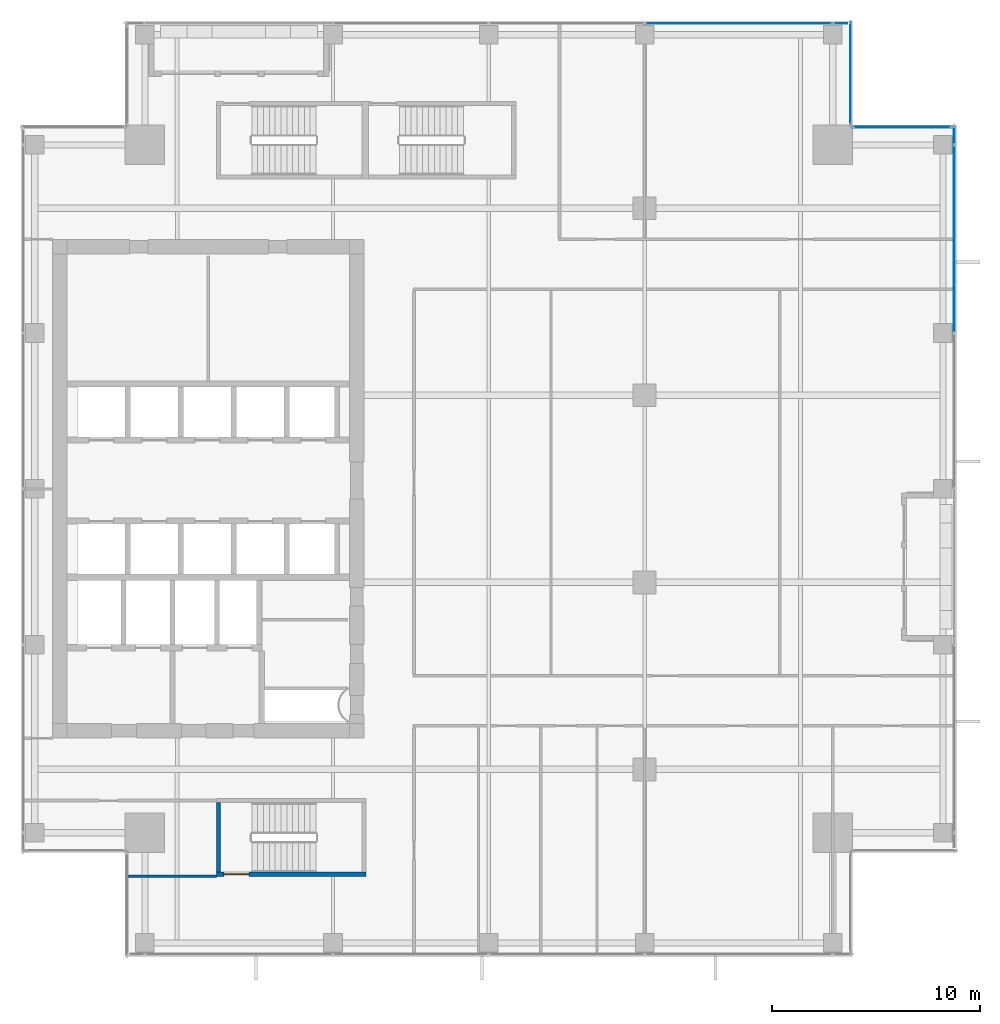
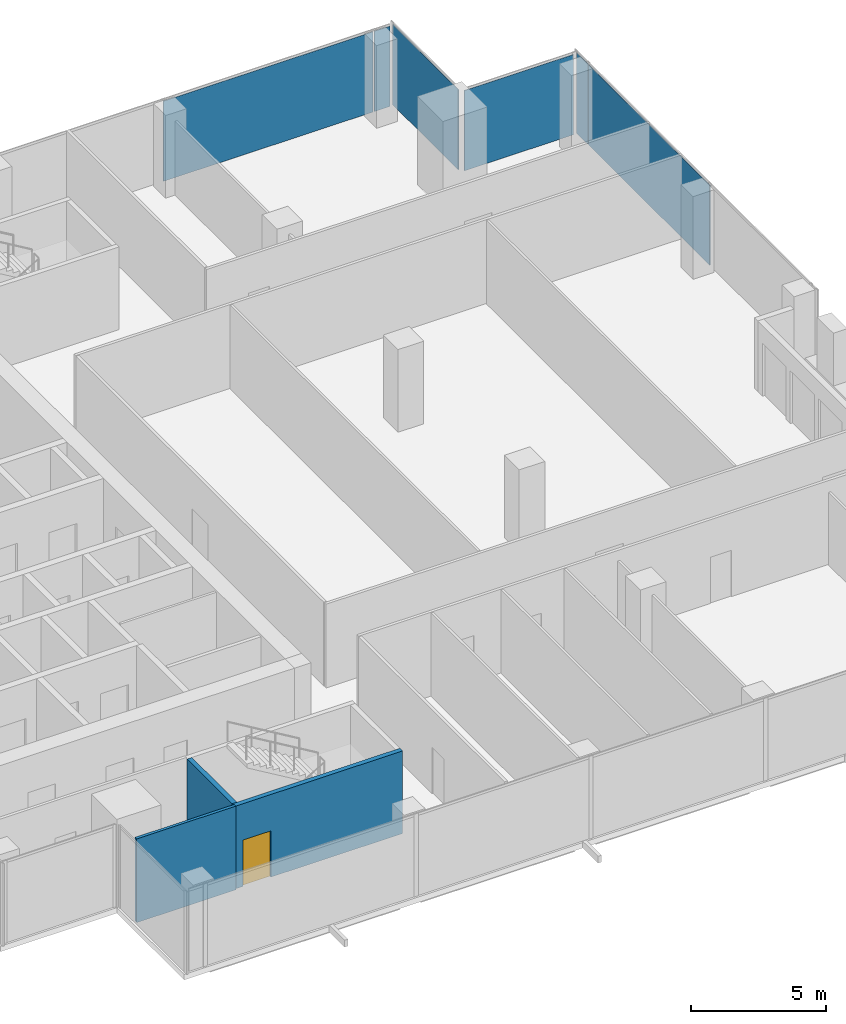
# One storey, part 30 of 36: 6 plates, 3 walls, 1 door, 1 opening, 4 elements without a shape of their own.
"""IFC4 building model written with IfcOpenShell, lengths in metres."""

from ifc_helpers import new_model, si_unit, direction, frame, frame_2d, origin, origin_2d, place, context, subcontext, project, spatial, rectangle, extrude, source, transform, mapped, material, layer, layer_set, type_object, element, fill, aggregate, save


model = new_model("IFC4")

# Units and contexts
model_context = context("Model", 3, precision=1e-05, world=origin(), true_north=direction((0.0, 1.0)))
body_context = subcontext(model_context, "Body", "Model", "MODEL_VIEW")
ifc_project = project(units=[si_unit("LENGTHUNIT", "METRE"), si_unit("AREAUNIT", "SQUARE_METRE"), si_unit("VOLUMEUNIT", "CUBIC_METRE"), si_unit("PLANEANGLEUNIT", "RADIAN"), si_unit("MASSUNIT", "GRAM", prefix="KILO")], contexts=[model_context])

# Site, building, storey
site_placement = place(None, origin())
site = spatial("IfcSite", under=ifc_project, at=site_placement, CompositionType="ELEMENT")
building_placement = place(site_placement, origin())
building = spatial("IfcBuilding", under=site, at=building_placement, Name="Khomas Fold Tower", CompositionType="ELEMENT")
storey_placement = place(building_placement, frame((0.0, 0.0, 226.199951171875)))
storey = spatial("IfcBuildingStorey", under=building, at=storey_placement, Name="L50", CompositionType="ELEMENT", Elevation=226.199951171875)

# Curtain wall, plate
ifc_material_1 = material(Name="Aluminium framed double glazing", Category="aluminium")
curtain_wall_type = type_object("IfcCurtainWallType", Name="SK-Unitised clear-glass wall, office floors CW2", PredefinedType="NOTDEFINED", material=ifc_material_1)
curtain_wall_1_placement = place(storey_placement, origin())
curtain_wall_1 = element("IfcCurtainWall", 1, at=curtain_wall_1_placement, inside=storey, type_object=curtain_wall_type, Name="CW2 run L50 06-0", PredefinedType="NOTDEFINED")
ifc_material_2 = material(Name="Clear double glazed unit")
ifc_layer_1 = layer(ifc_material_2, 0.030029296875)
ifc_layer_set_1 = layer_set([ifc_layer_1], Name="Clear double glazed unit")
plate_type = type_object("IfcPlateType", Name="SK-Unitised clear-glass wall, office floors glass panel CW2-P", PredefinedType="CURTAIN_PANEL", material=ifc_layer_set_1)
shared_shape_1 = source(origin(), body_context, "Body", "SweptSolid", [
    extrude(rectangle(XDim=0.659912109375, YDim=0.030029296875, at=origin_2d()), origin(), (0.0, 0.0, 1.0), 3.639892578125),
])
plate_1_placement = place(storey_placement, frame((43.909912109375, 49.39990234375, 0.0), z_axis=(0.0, 0.0, 1.0), x_axis=(-1.0, 0.0, 0.0)))
plate_1 = element("IfcPlate", 2, at=plate_1_placement, type_object=plate_type, Name="CW2 glass panel 1", PredefinedType="CURTAIN_PANEL", context=body_context, shape_type="MappedRepresentation", body=[
    mapped(shared_shape_1, transform((0.0, 0.0, 0.0))),
])

# Curtain wall, plates
curtain_wall_2_placement = place(storey_placement, origin())
curtain_wall_2 = element("IfcCurtainWall", 3, at=curtain_wall_2_placement, inside=storey, type_object=curtain_wall_type, Name="CW2 run L50 03-1", PredefinedType="NOTDEFINED")
shared_shape_2 = source(origin(), body_context, "Body", "SweptSolid", [
    extrude(rectangle(XDim=0.860107421875, YDim=0.030029296875, at=origin_2d()), origin(), (0.0, 0.0, 1.0), 3.639892578125),
])
plate_2_placement = place(storey_placement, frame((49.39990234375, 44.010009765625, 0.0), z_axis=(0.0, 0.0, 1.0), x_axis=(0.0, 1.0, 0.0)))
plate_2 = element("IfcPlate", 4, at=plate_2_placement, type_object=plate_type, Name="CW2 glass panel 4", PredefinedType="CURTAIN_PANEL", context=body_context, shape_type="MappedRepresentation", body=[
    mapped(shared_shape_2, transform((0.0, 0.0, 0.0))),
])
shared_shape_3 = source(origin(), body_context, "Body", "SweptSolid", [
    extrude(rectangle(XDim=8.989990234375, YDim=0.030029296875, at=origin_2d()), origin(), (0.0, 0.0, 1.0), 3.639892578125),
])
plate_3_placement = place(storey_placement, frame((49.39990234375, 39.02490234375, 0.0), z_axis=(0.0, 0.0, 1.0), x_axis=(0.0, 1.0, 0.0)))
plate_3 = element("IfcPlate", 5, at=plate_3_placement, type_object=plate_type, Name="CW2 glass panel 3", PredefinedType="CURTAIN_PANEL", context=body_context, shape_type="MappedRepresentation", body=[
    mapped(shared_shape_3, transform((0.0, 0.0, 0.0))),
])
aggregate(curtain_wall_2, [plate_3, plate_2])

# Plate
plate_4_placement = place(storey_placement, frame((39.02490234375, 49.39990234375, 0.0), z_axis=(0.0, 0.0, 1.0), x_axis=(-1.0, 0.0, 0.0)))
plate_4 = element("IfcPlate", 6, at=plate_4_placement, type_object=plate_type, Name="CW2 glass panel 2", PredefinedType="CURTAIN_PANEL", context=body_context, shape_type="MappedRepresentation", body=[
    mapped(shared_shape_3, transform((0.0, 0.0, 0.0))),
])

aggregate(curtain_wall_1, [plate_1, plate_4])

# Curtain wall, plate
curtain_wall_3_placement = place(storey_placement, origin())
curtain_wall_3 = element("IfcCurtainWall", 7, at=curtain_wall_3_placement, inside=storey, type_object=curtain_wall_type, Name="CW2 corner return L50 04", PredefinedType="NOTDEFINED")
shared_shape_4 = source(origin(), body_context, "Body", "SweptSolid", [
    extrude(rectangle(XDim=4.679931640625, YDim=0.030029296875, at=origin_2d()), origin(), (0.0, 0.0, 1.0), 3.639892578125),
])
plate_5_placement = place(storey_placement, frame((46.89990234375, 44.39990234375, 0.0), z_axis=(0.0, 0.0, 1.0), x_axis=(-1.0, 0.0, 0.0)))
plate_5 = element("IfcPlate", 8, at=plate_5_placement, type_object=plate_type, Name="CW2 glass panel 1", PredefinedType="CURTAIN_PANEL", context=body_context, shape_type="MappedRepresentation", body=[
    mapped(shared_shape_4, transform((0.0, 0.0, 0.0))),
])
aggregate(curtain_wall_3, [plate_5])

curtain_wall_4_placement = place(storey_placement, origin())
curtain_wall_4 = element("IfcCurtainWall", 9, at=curtain_wall_4_placement, inside=storey, type_object=curtain_wall_type, Name="CW2 corner return L50 05", PredefinedType="NOTDEFINED")
shared_shape_5 = source(origin(), body_context, "Body", "SweptSolid", [
    extrude(rectangle(XDim=4.8798828125, YDim=0.030029296875, at=origin_2d()), origin(), (0.0, 0.0, 1.0), 3.639892578125),
])
plate_6_placement = place(storey_placement, frame((44.39990234375, 47.0, 0.0), z_axis=(0.0, 0.0, 1.0), x_axis=(0.0, 1.0, 0.0)))
plate_6 = element("IfcPlate", 10, at=plate_6_placement, type_object=plate_type, Name="CW2 glass panel 1", PredefinedType="CURTAIN_PANEL", context=body_context, shape_type="MappedRepresentation", body=[
    mapped(shared_shape_5, transform((0.0, 0.0, 0.0))),
])
aggregate(curtain_wall_4, [plate_6])

# Wall, opening, door
ifc_material_3 = material(Name="Concrete C50/60", Category="concrete")
ifc_layer_2 = layer(ifc_material_3, 0.199951171875)
ifc_layer_set_2 = layer_set([ifc_layer_2], Name="Concrete C50/60")
wall_type_1 = type_object("IfcWallType", Name="Stair wall 200", PredefinedType="SHEAR", material=ifc_layer_set_2)
shared_shape_6 = source(origin(), body_context, "Body", "SweptSolid", [
    extrude(rectangle(XDim=7.2001953125, YDim=0.199951171875, at=frame_2d((3.60009765625, 0.0))), origin(), (0.0, 0.0, 1.0), 3.75),
])
wall_1_placement = place(storey_placement, frame((13.89990234375, 8.449951171875, 0.0), z_axis=(0.0, 0.0, 1.0), x_axis=(1.0, 0.0, 0.0)))
wall_1 = element("IfcWall", 11, at=wall_1_placement, inside=storey, type_object=wall_type_1, Name="Stair wall SW-ST2-S", PredefinedType="SHEAR", context=body_context, shape_type="MappedRepresentation", body=[
    mapped(shared_shape_6, transform((0.0, 0.0, 0.0))),
])
shared_shape_7 = source(origin(), body_context, "Body", "SweptSolid", [
    extrude(rectangle(XDim=1.199951171875, YDim=2.10009765625, at=frame_2d((0.60009765625, 1.050048828125))), frame((0.0, 0.10986328125, 0.0), z_axis=(0.0, -1.0, 0.0), x_axis=(1.0, 0.0, 0.0)), (0.0, 0.0, 1.0), 0.219970703125),
])
opening_placement = place(wall_1_placement, frame((0.35009765625, 0.0, 0.0)))
opening = element("IfcOpeningElement", 12, at=opening_placement, cuts=wall_1, Name="Opening SD-ST2", PredefinedType="OPENING", context=body_context, shape_type="MappedRepresentation", body=[
    mapped(shared_shape_7, transform((0.0, 0.0, 0.0))),
])
ifc_material_4 = material(Name="Steel door leaf", Category="steel")
door_type = type_object("IfcDoorType", Name="Stair door 1200x2100 right-hand", OperationType="SINGLE_SWING_RIGHT", PredefinedType="DOOR", material=ifc_material_4)
shared_shape_8 = source(origin(), body_context, "Body", "SweptSolid", [
    extrude(rectangle(XDim=1.199951171875, YDim=2.10009765625, at=frame_2d((0.60009765625, 1.050048828125))), frame((0.0, 0.02490234375, 0.0), z_axis=(0.0, -1.0, 0.0), x_axis=(1.0, 0.0, 0.0)), (0.0, 0.0, 1.0), 0.050048828125),
])
door_placement = place(opening_placement, origin())
door = element("IfcDoor", 13, at=door_placement, inside=storey, type_object=door_type, Name="Stair door", OperationType="SINGLE_SWING_RIGHT", OverallHeight=2.10009765625, OverallWidth=1.199951171875, PredefinedType="DOOR", context=body_context, shape_type="MappedRepresentation", body=[
    mapped(shared_shape_8, transform((0.0, 0.0, 0.0))),
])
fill(opening, door)

# Walls
shared_shape_9 = source(origin(), body_context, "Body", "SweptSolid", [
    extrude(rectangle(XDim=3.349853515625, YDim=0.199951171875, at=frame_2d((1.6748046875, 0.0))), origin(), (0.0, 0.0, 1.0), 3.75),
])
wall_2_placement = place(storey_placement, frame((14.0, 8.550048828125, 0.0), z_axis=(0.0, 0.0, 1.0), x_axis=(0.0, 1.0, 0.0)))
element("IfcWall", 14, at=wall_2_placement, inside=storey, type_object=wall_type_1, Name="Stair wall SW-ST2-W", PredefinedType="SHEAR", context=body_context, shape_type="MappedRepresentation", body=[
    mapped(shared_shape_9, transform((0.0, 0.0, 0.0))),
])
ifc_material_5 = material(Name="Plasterboard partition")
ifc_layer_3 = layer(ifc_material_5, 0.125)
ifc_layer_set_3 = layer_set([ifc_layer_3], Name="Plasterboard partition")
wall_type_2 = type_object("IfcWallType", Name="Partition PW2 125", PredefinedType="PARTITIONING", material=ifc_layer_set_3)
shared_shape_10 = source(origin(), body_context, "Body", "SweptSolid", [
    extrude(rectangle(XDim=4.25, YDim=0.125, at=frame_2d((2.125, 0.0))), origin(), (0.0, 0.0, 1.0), 3.800048828125),
])
wall_3_placement = place(storey_placement, frame((9.64990234375, 8.35009765625, 0.0), z_axis=(0.0, 0.0, 1.0), x_axis=(1.0, 0.0, 0.0)))
element("IfcWall", 15, at=wall_3_placement, inside=storey, type_object=wall_type_2, Name="Partition", PredefinedType="PARTITIONING", context=body_context, shape_type="MappedRepresentation", body=[
    mapped(shared_shape_10, transform((0.0, 0.0, 0.0))),
])

save(model, "model.ifc")
